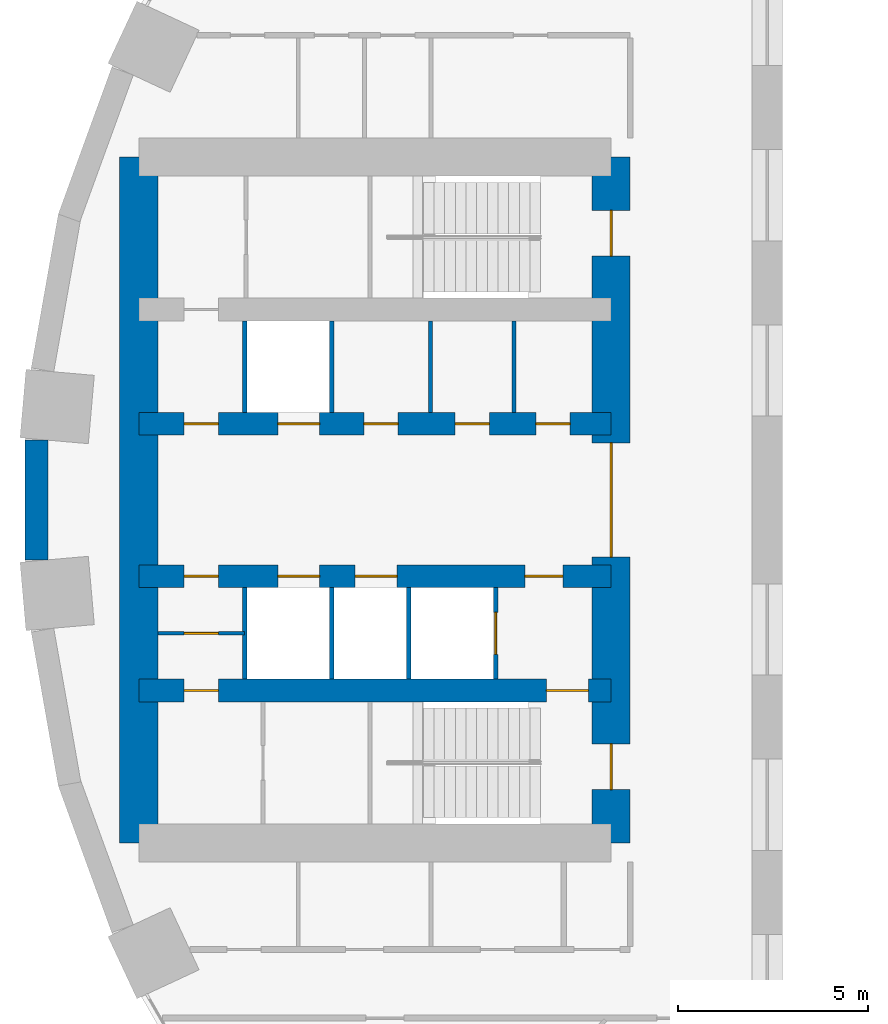
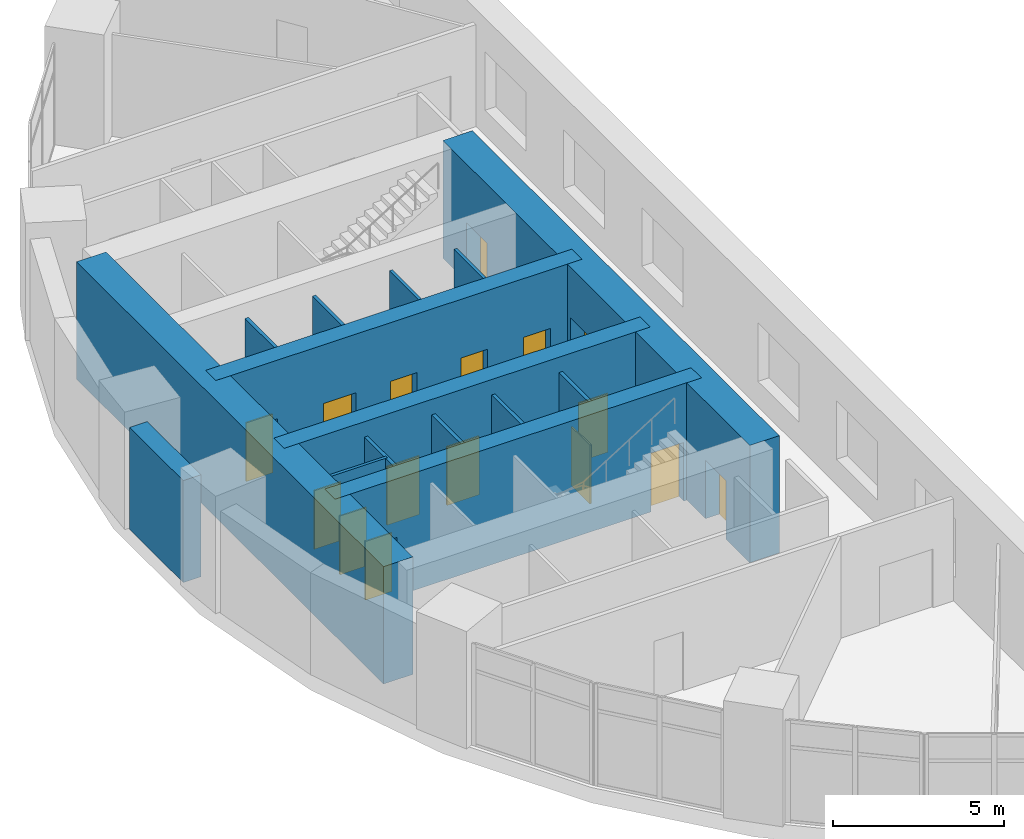
# One storey, part 8 of 13: 16 doors, 15 walls, 16 openings.
"""IFC4 building model written with IfcOpenShell, lengths in metres."""

from ifc_helpers import new_model, si_unit, direction, frame, frame_2d, origin, place, context, subcontext, project, spatial, rectangle, extrude, material, layer, layer_set, type_object, element, fill, save


model = new_model("IFC4")

# Units and contexts
model_context = context("Model", 3, precision=1e-05, world=origin(), true_north=direction((0.0, 1.0)))
body_context = subcontext(model_context, "Body", "Model", "MODEL_VIEW")
ifc_project = project(units=[si_unit("LENGTHUNIT", "METRE"), si_unit("AREAUNIT", "SQUARE_METRE"), si_unit("VOLUMEUNIT", "CUBIC_METRE"), si_unit("PLANEANGLEUNIT", "RADIAN"), si_unit("MASSUNIT", "GRAM", prefix="KILO")], contexts=[model_context])

# Site, building, storey
site_placement = place(None, origin())
site = spatial("IfcSite", under=ifc_project, at=site_placement, CompositionType="ELEMENT")
building_placement = place(site_placement, origin())
building = spatial("IfcBuilding", under=site, at=building_placement, Name="Saqina Gate Tower", CompositionType="ELEMENT")
storey_placement = place(building_placement, frame((0.0, 0.0, 13.39990234375)))
storey = spatial("IfcBuildingStorey", under=building, at=storey_placement, Name="L03", CompositionType="ELEMENT", Elevation=13.39990234375)

# Walls
ifc_material_1 = material(Name="Gypsum board on steel studs", Category="steel")
ifc_layer_1 = layer(ifc_material_1, 0.10009765625)
ifc_layer_set_1 = layer_set([ifc_layer_1], Name="CORE PARTITION")
wall_type_1 = type_object("IfcWallType", Name="CORE PARTITION", PredefinedType="PARTITIONING", material=ifc_layer_set_1)
for number, where, z_axis, x_axis, name in (
    (1, (-16.052001953125, 2.300048828125, 0.0), (0.0, 0.0, 1.0), (0.0, 1.0, 0.0), "L03-CP-W01"),
    (2, (-18.24072265625, 2.300048828125, 0.0), (0.0, 0.0, 1.0), (0.0, 1.0, 0.0), "L03-CP-W02"),
):
    element("IfcWall", number, at=place(storey_placement, frame(where, z_axis=z_axis, x_axis=x_axis)), inside=storey, type_object=wall_type_1, Name=name, PredefinedType="PARTITIONING", context=body_context, shape_type="SweptSolid", body=[
        extrude(rectangle(XDim=2.39990234375, YDim=0.10009765625, at=frame_2d((1.199951171875, 0.0))), origin(), (0.0, 0.0, 1.0), 3.650146484375),
    ])

# Wall, opening, door
wall_1_placement = place(storey_placement, frame((-23.1201171875, -3.5, 0.0), z_axis=(0.0, 0.0, 1.0), x_axis=(-1.0, 0.0, 0.0)))
wall_1 = element("IfcWall", 3, at=wall_1_placement, inside=storey, type_object=wall_type_1, Name="L03-CP-W09", PredefinedType="PARTITIONING", context=body_context, shape_type="SweptSolid", body=[
    extrude(rectangle(XDim=2.27978515625, YDim=0.10009765625, at=frame_2d((1.139892578125, 0.0))), origin(), (0.0, 0.0, 1.0), 3.650146484375),
])
opening_1_placement = place(wall_1_placement, frame((0.68994140625, 0.0, 0.0)))
opening_1 = element("IfcOpeningElement", 4, at=opening_1_placement, cuts=wall_1, Name="Opening L03-D113", PredefinedType="OPENING", context=body_context, shape_type="SweptSolid", body=[
    extrude(rectangle(XDim=0.89990234375, YDim=2.10009765625, at=frame_2d((0.449951171875, 1.050048828125))), frame((0.0, 0.06201171875, 0.0), z_axis=(0.0, -1.0, 0.0), x_axis=(1.0, 0.0, 0.0)), (0.0, 0.0, 1.0), 0.1240234375),
])
ifc_material_2 = material(Name="Steel-framed fire door leaf, EI 60", Category="steel")
door_type_1 = type_object("IfcDoorType", Name="SERVICE ROOM DOOR 900", OperationType="SINGLE_SWING_LEFT", PredefinedType="DOOR", material=ifc_material_2)
door_1_placement = place(opening_1_placement, origin())
door_1 = element("IfcDoor", 5, at=door_1_placement, inside=storey, type_object=door_type_1, Name="L03-CD-W24", OperationType="SINGLE_SWING_RIGHT", OverallHeight=2.10009765625, OverallWidth=0.89990234375, PredefinedType="DOOR", context=body_context, shape_type="SweptSolid", body=[
    extrude(rectangle(XDim=0.89990234375, YDim=2.10009765625, at=frame_2d((0.449951171875, 1.050048828125))), frame((0.0, 0.02490234375, 0.0), z_axis=(0.0, -1.0, 0.0), x_axis=(1.0, 0.0, 0.0)), (0.0, 0.0, 1.0), 0.050048828125),
])
fill(opening_1, door_1)

# Walls
ifc_material_3 = material(Name="Glazed ceramic tile", Category="ceramic")
ifc_layer_2 = layer(ifc_material_3, 0.60009765625)
ifc_layer_set_2 = layer_set([ifc_layer_2], Name="FW-TILE")
wall_type_2 = type_object("IfcWallType", Name="FW-TILE", PredefinedType="SOLIDWALL", material=ifc_layer_set_2)
wall_2_placement = place(storey_placement, frame((-28.589599609375, 1.571533203125, 0.0), z_axis=(0.0, 0.0, 1.0), x_axis=(0.0, -1.0, 0.0)))
element("IfcWall", 6, at=wall_2_placement, inside=storey, type_object=wall_type_2, Name="Facade wall L03 facet 18", PredefinedType="SOLIDWALL", context=body_context, shape_type="SweptSolid", body=[
    extrude(rectangle(XDim=3.14306640625, YDim=0.60009765625, at=frame_2d((1.571533203125, 0.0))), origin(), (0.0, 0.0, 1.0), 3.650146484375),
])
ifc_material_4 = material(Name="Autoclaved aerated concrete block", Category="concrete")
ifc_layer_3 = layer(ifc_material_4, 0.1201171875)
ifc_layer_set_3 = layer_set([ifc_layer_3], Name="SHAFT PARTITION")
wall_type_3 = type_object("IfcWallType", Name="SHAFT PARTITION", PredefinedType="PARTITIONING", material=ifc_layer_set_3)
for number, where, z_axis, x_axis, name in (
    (7, (-20.840087890625, 2.300048828125, 0.0), (0.0, 0.0, 1.0), (0.0, 1.0, 0.0), "L03-CP-W03"),
    (8, (-23.1201171875, 2.300048828125, 0.0), (0.0, 0.0, 1.0), (0.0, 1.0, 0.0), "L03-CP-W04"),
):
    element("IfcWall", number, at=place(storey_placement, frame(where, z_axis=z_axis, x_axis=x_axis)), inside=storey, type_object=wall_type_3, Name=name, PredefinedType="PARTITIONING", context=body_context, shape_type="SweptSolid", body=[
        extrude(rectangle(XDim=2.39990234375, YDim=0.1201171875, at=frame_2d((1.199951171875, 0.0))), origin(), (0.0, 0.0, 1.0), 3.650146484375),
    ])

# Wall, opening, door
wall_3_placement = place(storey_placement, frame((-16.530029296875, -4.699951171875, 0.0), z_axis=(0.0, 0.0, 1.0), x_axis=(0.0, 1.0, 0.0)))
wall_3 = element("IfcWall", 9, at=wall_3_placement, inside=storey, type_object=wall_type_3, Name="L03-CP-W05", PredefinedType="PARTITIONING", context=body_context, shape_type="SweptSolid", body=[
    extrude(rectangle(XDim=2.39990234375, YDim=0.1201171875, at=frame_2d((1.199951171875, 0.0))), origin(), (0.0, 0.0, 1.0), 3.650146484375),
])
opening_2_placement = place(wall_3_placement, frame((0.64990234375, 0.0, 0.0)))
opening_2 = element("IfcOpeningElement", 10, at=opening_2_placement, cuts=wall_3, Name="Opening L03-LD6", PredefinedType="OPENING", context=body_context, shape_type="SweptSolid", body=[
    extrude(rectangle(XDim=1.10009765625, YDim=2.10009765625, at=frame_2d((0.550048828125, 1.050048828125))), frame((0.0, 0.072021484375, 0.0), z_axis=(0.0, -1.0, 0.0), x_axis=(1.0, 0.0, 0.0)), (0.0, 0.0, 1.0), 0.14404296875),
])
ifc_material_5 = material(Name="Stainless steel", Category="steel")
door_type_2 = type_object("IfcDoorType", Name="LANDING DOOR", OperationType="DOUBLE_DOOR_SLIDING", PredefinedType="DOOR", material=ifc_material_5)
door_2_placement = place(opening_2_placement, origin())
door_2 = element("IfcDoor", 11, at=door_2_placement, inside=storey, type_object=door_type_2, Name="LANDING DOOR FF2", OperationType="DOUBLE_DOOR_SLIDING", OverallHeight=2.10009765625, OverallWidth=1.10009765625, PredefinedType="DOOR", context=body_context, shape_type="SweptSolid", body=[
    extrude(rectangle(XDim=1.10009765625, YDim=2.10009765625, at=frame_2d((0.550048828125, 1.050048828125))), frame((0.0, 0.02490234375, 0.0), z_axis=(0.0, -1.0, 0.0), x_axis=(1.0, 0.0, 0.0)), (0.0, 0.0, 1.0), 0.050048828125),
])
fill(opening_2, door_2)

# Walls
for number, where, z_axis, x_axis, name in (
    (12, (-18.81005859375, -4.699951171875, 0.0), (0.0, 0.0, 1.0), (0.0, 1.0, 0.0), "L03-CP-W06"),
    (13, (-20.840087890625, -4.699951171875, 0.0), (0.0, 0.0, 1.0), (0.0, 1.0, 0.0), "L03-CP-W07"),
    (14, (-23.1201171875, -4.699951171875, 0.0), (0.0, 0.0, 1.0), (0.0, 1.0, 0.0), "L03-CP-W08"),
):
    element("IfcWall", number, at=place(storey_placement, frame(where, z_axis=z_axis, x_axis=x_axis)), inside=storey, type_object=wall_type_3, Name=name, PredefinedType="PARTITIONING", context=body_context, shape_type="SweptSolid", body=[
        extrude(rectangle(XDim=2.39990234375, YDim=0.1201171875, at=frame_2d((1.199951171875, 0.0))), origin(), (0.0, 0.0, 1.0), 3.650146484375),
    ])

# Wall, openings, doors
ifc_material_6 = material(Name="Concrete C70/85", Category="concrete")
ifc_layer_4 = layer(ifc_material_6, 0.60009765625)
ifc_layer_set_4 = layer_set([ifc_layer_4], Name="Concrete C70/85")
wall_type_4 = type_object("IfcWallType", Name="STR-CORE WALL-P-I", PredefinedType="SHEAR", material=ifc_layer_set_4)
wall_4_placement = place(storey_placement, frame((-13.5, -5.0, 0.0), z_axis=(0.0, 0.0, 1.0), x_axis=(-1.0, 0.0, 0.0)))
wall_4 = element("IfcWall", 15, at=wall_4_placement, inside=storey, type_object=wall_type_4, Name="CORE WALL L03 W-X2", PredefinedType="SHEAR", context=body_context, shape_type="SweptSolid", body=[
    extrude(rectangle(XDim=12.39990234375, YDim=0.60009765625, at=frame_2d((6.199951171875, 0.0))), origin(), (0.0, 0.0, 1.0), 4.2001953125),
])
opening_3_placement = place(wall_4_placement, frame((10.31005859375, 0.0, 0.0)))
opening_3 = element("IfcOpeningElement", 16, at=opening_3_placement, cuts=wall_4, Name="Opening L03-D115", PredefinedType="OPENING", context=body_context, shape_type="SweptSolid", body=[
    extrude(rectangle(XDim=0.89990234375, YDim=2.10009765625, at=frame_2d((0.449951171875, 1.050048828125))), frame((0.0, 0.31201171875, 0.0), z_axis=(0.0, -1.0, 0.0), x_axis=(1.0, 0.0, 0.0)), (0.0, 0.0, 1.0), 0.6240234375),
])
opening_4_placement = place(wall_4_placement, frame((0.60009765625, 0.0, 0.0)))
opening_4 = element("IfcOpeningElement", 17, at=opening_4_placement, cuts=wall_4, Name="Opening L03-D116", PredefinedType="OPENING", context=body_context, shape_type="SweptSolid", body=[
    extrude(rectangle(XDim=1.10009765625, YDim=2.10009765625, at=frame_2d((0.550048828125, 1.050048828125))), frame((0.0, 0.31201171875, 0.0), z_axis=(0.0, -1.0, 0.0), x_axis=(1.0, 0.0, 0.0)), (0.0, 0.0, 1.0), 0.6240234375),
])
ifc_material_7 = material(Name="Steel", Category="steel")
door_type_3 = type_object("IfcDoorType", Name="FIRE LOBBY DOOR EI 60 WIDE", OperationType="SINGLE_SWING_LEFT", PredefinedType="DOOR", material=ifc_material_7)
door_3_placement = place(opening_4_placement, origin())
door_3 = element("IfcDoor", 18, at=door_3_placement, inside=storey, type_object=door_type_3, Name="L03-CD-W27", OperationType="SINGLE_SWING_LEFT", OverallHeight=2.10009765625, OverallWidth=1.10009765625, PredefinedType="DOOR", context=body_context, shape_type="SweptSolid", body=[
    extrude(rectangle(XDim=1.10009765625, YDim=2.10009765625, at=frame_2d((0.550048828125, 1.050048828125))), frame((0.0, 0.02490234375, 0.0), z_axis=(0.0, -1.0, 0.0), x_axis=(1.0, 0.0, 0.0)), (0.0, 0.0, 1.0), 0.050048828125),
])
fill(opening_4, door_3)
door_4_placement = place(opening_3_placement, origin())
door_4 = element("IfcDoor", 19, at=door_4_placement, inside=storey, type_object=door_type_1, Name="L03-CD-W26", OperationType="SINGLE_SWING_RIGHT", OverallHeight=2.10009765625, OverallWidth=0.89990234375, PredefinedType="DOOR", context=body_context, shape_type="SweptSolid", body=[
    extrude(rectangle(XDim=0.89990234375, YDim=2.10009765625, at=frame_2d((0.449951171875, 1.050048828125))), frame((0.0, 0.02490234375, 0.0), z_axis=(0.0, -1.0, 0.0), x_axis=(1.0, 0.0, 0.0)), (0.0, 0.0, 1.0), 0.050048828125),
])
fill(opening_3, door_4)

wall_5_placement = place(storey_placement, frame((-13.5, 2.0, 0.0), z_axis=(0.0, 0.0, 1.0), x_axis=(-1.0, 0.0, 0.0)))
wall_5 = element("IfcWall", 20, at=wall_5_placement, inside=storey, type_object=wall_type_4, Name="CORE WALL L03 W-L1", PredefinedType="SHEAR", context=body_context, shape_type="SweptSolid", body=[
    extrude(rectangle(XDim=12.39990234375, YDim=0.60009765625, at=frame_2d((6.199951171875, 0.0))), origin(), (0.0, 0.0, 1.0), 4.2001953125),
])
opening_5_placement = place(wall_5_placement, frame((7.64990234375, 0.0, 0.0)))
opening_5 = element("IfcOpeningElement", 21, at=opening_5_placement, cuts=wall_5, Name="Opening L03-LD5", PredefinedType="OPENING", context=body_context, shape_type="SweptSolid", body=[
    extrude(rectangle(XDim=1.10009765625, YDim=2.10009765625, at=frame_2d((0.550048828125, 1.050048828125))), frame((0.0, 0.31201171875, 0.0), z_axis=(0.0, -1.0, 0.0), x_axis=(1.0, 0.0, 0.0)), (0.0, 0.0, 1.0), 0.6240234375),
])
opening_6_placement = place(wall_5_placement, frame((1.075927734375, 0.0, 0.0)))
opening_6 = element("IfcOpeningElement", 22, at=opening_6_placement, cuts=wall_5, Name="Opening L03-D105", PredefinedType="OPENING", context=body_context, shape_type="SweptSolid", body=[
    extrude(rectangle(XDim=0.89990234375, YDim=2.10009765625, at=frame_2d((0.449951171875, 1.050048828125))), frame((0.0, 0.31201171875, 0.0), z_axis=(0.0, -1.0, 0.0), x_axis=(1.0, 0.0, 0.0)), (0.0, 0.0, 1.0), 0.6240234375),
])
opening_7_placement = place(wall_5_placement, frame((3.1962890625, 0.0, 0.0)))
opening_7 = element("IfcOpeningElement", 23, at=opening_7_placement, cuts=wall_5, Name="Opening L03-D106", PredefinedType="OPENING", context=body_context, shape_type="SweptSolid", body=[
    extrude(rectangle(XDim=0.89990234375, YDim=2.10009765625, at=frame_2d((0.449951171875, 1.050048828125))), frame((0.0, 0.31201171875, 0.0), z_axis=(0.0, -1.0, 0.0), x_axis=(1.0, 0.0, 0.0)), (0.0, 0.0, 1.0), 0.6240234375),
])
opening_8_placement = place(wall_5_placement, frame((5.59033203125, 0.0, 0.0)))
opening_8 = element("IfcOpeningElement", 24, at=opening_8_placement, cuts=wall_5, Name="Opening L03-D107", PredefinedType="OPENING", context=body_context, shape_type="SweptSolid", body=[
    extrude(rectangle(XDim=0.89990234375, YDim=2.10009765625, at=frame_2d((0.449951171875, 1.050048828125))), frame((0.0, 0.31201171875, 0.0), z_axis=(0.0, -1.0, 0.0), x_axis=(1.0, 0.0, 0.0)), (0.0, 0.0, 1.0), 0.6240234375),
])
opening_9_placement = place(wall_5_placement, frame((10.31005859375, 0.0, 0.0)))
opening_9 = element("IfcOpeningElement", 25, at=opening_9_placement, cuts=wall_5, Name="Opening L03-D108", PredefinedType="OPENING", context=body_context, shape_type="SweptSolid", body=[
    extrude(rectangle(XDim=0.89990234375, YDim=2.10009765625, at=frame_2d((0.449951171875, 1.050048828125))), frame((0.0, 0.31201171875, 0.0), z_axis=(0.0, -1.0, 0.0), x_axis=(1.0, 0.0, 0.0)), (0.0, 0.0, 1.0), 0.6240234375),
])
door_5_placement = place(opening_5_placement, origin())
door_5 = element("IfcDoor", 26, at=door_5_placement, inside=storey, type_object=door_type_2, Name="LANDING DOOR LR4", OperationType="DOUBLE_DOOR_SLIDING", OverallHeight=2.10009765625, OverallWidth=1.10009765625, PredefinedType="DOOR", context=body_context, shape_type="SweptSolid", body=[
    extrude(rectangle(XDim=1.10009765625, YDim=2.10009765625, at=frame_2d((0.550048828125, 1.050048828125))), frame((0.0, 0.02490234375, 0.0), z_axis=(0.0, -1.0, 0.0), x_axis=(1.0, 0.0, 0.0)), (0.0, 0.0, 1.0), 0.050048828125),
])
fill(opening_5, door_5)
door_6_placement = place(opening_6_placement, frame((0.89990234375, 0.0, 0.0), z_axis=(0.0, 0.0, 1.0), x_axis=(-1.0, 0.0, 0.0)))
door_6 = element("IfcDoor", 27, at=door_6_placement, inside=storey, type_object=door_type_1, Name="L03-CD-W16", OperationType="SINGLE_SWING_LEFT", OverallHeight=2.10009765625, OverallWidth=0.89990234375, PredefinedType="DOOR", context=body_context, shape_type="SweptSolid", body=[
    extrude(rectangle(XDim=0.89990234375, YDim=2.10009765625, at=frame_2d((0.449951171875, 1.050048828125))), frame((0.0, 0.02490234375, 0.0), z_axis=(0.0, -1.0, 0.0), x_axis=(1.0, 0.0, 0.0)), (0.0, 0.0, 1.0), 0.050048828125),
])
fill(opening_6, door_6)
door_7_placement = place(opening_7_placement, frame((0.89990234375, 0.0, 0.0), z_axis=(0.0, 0.0, 1.0), x_axis=(-1.0, 0.0, 0.0)))
door_7 = element("IfcDoor", 28, at=door_7_placement, inside=storey, type_object=door_type_1, Name="L03-CD-W17", OperationType="SINGLE_SWING_RIGHT", OverallHeight=2.10009765625, OverallWidth=0.89990234375, PredefinedType="DOOR", context=body_context, shape_type="SweptSolid", body=[
    extrude(rectangle(XDim=0.89990234375, YDim=2.10009765625, at=frame_2d((0.449951171875, 1.050048828125))), frame((0.0, 0.02490234375, 0.0), z_axis=(0.0, -1.0, 0.0), x_axis=(1.0, 0.0, 0.0)), (0.0, 0.0, 1.0), 0.050048828125),
])
fill(opening_7, door_7)
door_8_placement = place(opening_8_placement, frame((0.89990234375, 0.0, 0.0), z_axis=(0.0, 0.0, 1.0), x_axis=(-1.0, 0.0, 0.0)))
door_8 = element("IfcDoor", 29, at=door_8_placement, inside=storey, type_object=door_type_1, Name="L03-CD-W18", OperationType="SINGLE_SWING_RIGHT", OverallHeight=2.10009765625, OverallWidth=0.89990234375, PredefinedType="DOOR", context=body_context, shape_type="SweptSolid", body=[
    extrude(rectangle(XDim=0.89990234375, YDim=2.10009765625, at=frame_2d((0.449951171875, 1.050048828125))), frame((0.0, 0.02490234375, 0.0), z_axis=(0.0, -1.0, 0.0), x_axis=(1.0, 0.0, 0.0)), (0.0, 0.0, 1.0), 0.050048828125),
])
fill(opening_8, door_8)
door_9_placement = place(opening_9_placement, frame((0.89990234375, 0.0, 0.0), z_axis=(0.0, 0.0, 1.0), x_axis=(-1.0, 0.0, 0.0)))
door_9 = element("IfcDoor", 30, at=door_9_placement, inside=storey, type_object=door_type_1, Name="L03-CD-W19", OperationType="SINGLE_SWING_LEFT", OverallHeight=2.10009765625, OverallWidth=0.89990234375, PredefinedType="DOOR", context=body_context, shape_type="SweptSolid", body=[
    extrude(rectangle(XDim=0.89990234375, YDim=2.10009765625, at=frame_2d((0.449951171875, 1.050048828125))), frame((0.0, 0.02490234375, 0.0), z_axis=(0.0, -1.0, 0.0), x_axis=(1.0, 0.0, 0.0)), (0.0, 0.0, 1.0), 0.050048828125),
])
fill(opening_9, door_9)

wall_6_placement = place(storey_placement, frame((-13.5, -2.0, 0.0), z_axis=(0.0, 0.0, 1.0), x_axis=(-1.0, 0.0, 0.0)))
wall_6 = element("IfcWall", 31, at=wall_6_placement, inside=storey, type_object=wall_type_4, Name="CORE WALL L03 W-L2", PredefinedType="SHEAR", context=body_context, shape_type="SweptSolid", body=[
    extrude(rectangle(XDim=12.39990234375, YDim=0.60009765625, at=frame_2d((6.199951171875, 0.0))), origin(), (0.0, 0.0, 1.0), 4.2001953125),
])
opening_10_placement = place(wall_6_placement, frame((5.6201171875, 0.0, 0.0)))
opening_10 = element("IfcOpeningElement", 32, at=opening_10_placement, cuts=wall_6, Name="Opening L03-LD7", PredefinedType="OPENING", context=body_context, shape_type="SweptSolid", body=[
    extrude(rectangle(XDim=1.10009765625, YDim=2.10009765625, at=frame_2d((0.550048828125, 1.050048828125))), frame((0.0, 0.31201171875, 0.0), z_axis=(0.0, -1.0, 0.0), x_axis=(1.0, 0.0, 0.0)), (0.0, 0.0, 1.0), 0.6240234375),
])
opening_11_placement = place(wall_6_placement, frame((7.64990234375, 0.0, 0.0)))
opening_11 = element("IfcOpeningElement", 33, at=opening_11_placement, cuts=wall_6, Name="Opening L03-LD8", PredefinedType="OPENING", context=body_context, shape_type="SweptSolid", body=[
    extrude(rectangle(XDim=1.10009765625, YDim=2.10009765625, at=frame_2d((0.550048828125, 1.050048828125))), frame((0.0, 0.31201171875, 0.0), z_axis=(0.0, -1.0, 0.0), x_axis=(1.0, 0.0, 0.0)), (0.0, 0.0, 1.0), 0.6240234375),
])
opening_12_placement = place(wall_6_placement, frame((1.264892578125, 0.0, 0.0)))
opening_12 = element("IfcOpeningElement", 34, at=opening_12_placement, cuts=wall_6, Name="Opening L03-D109", PredefinedType="OPENING", context=body_context, shape_type="SweptSolid", body=[
    extrude(rectangle(XDim=1.0, YDim=2.10009765625, at=frame_2d((0.5, 1.050048828125))), frame((0.0, 0.31201171875, 0.0), z_axis=(0.0, -1.0, 0.0), x_axis=(1.0, 0.0, 0.0)), (0.0, 0.0, 1.0), 0.6240234375),
])
opening_13_placement = place(wall_6_placement, frame((10.31005859375, 0.0, 0.0)))
opening_13 = element("IfcOpeningElement", 35, at=opening_13_placement, cuts=wall_6, Name="Opening L03-D110", PredefinedType="OPENING", context=body_context, shape_type="SweptSolid", body=[
    extrude(rectangle(XDim=0.89990234375, YDim=2.10009765625, at=frame_2d((0.449951171875, 1.050048828125))), frame((0.0, 0.31201171875, 0.0), z_axis=(0.0, -1.0, 0.0), x_axis=(1.0, 0.0, 0.0)), (0.0, 0.0, 1.0), 0.6240234375),
])
ifc_material_8 = material(Name="Steel", Category="steel")
door_type_4 = type_object("IfcDoorType", Name="FIRE LOBBY DOOR EI 60", OperationType="SINGLE_SWING_LEFT", PredefinedType="DOOR", material=ifc_material_8)
door_10_placement = place(opening_12_placement, frame((1.0, 0.0, 0.0), z_axis=(0.0, 0.0, 1.0), x_axis=(-1.0, 0.0, 0.0)))
door_10 = element("IfcDoor", 36, at=door_10_placement, inside=storey, type_object=door_type_4, Name="L03-CD-W20", OperationType="SINGLE_SWING_RIGHT", OverallHeight=2.10009765625, OverallWidth=1.0, PredefinedType="DOOR", context=body_context, shape_type="SweptSolid", body=[
    extrude(rectangle(XDim=1.0, YDim=2.10009765625, at=frame_2d((0.5, 1.050048828125))), frame((0.0, 0.02490234375, 0.0), z_axis=(0.0, -1.0, 0.0), x_axis=(1.0, 0.0, 0.0)), (0.0, 0.0, 1.0), 0.050048828125),
])
fill(opening_12, door_10)
door_11_placement = place(opening_10_placement, origin())
door_11 = element("IfcDoor", 37, at=door_11_placement, inside=storey, type_object=door_type_2, Name="LANDING DOOR LR6", OperationType="DOUBLE_DOOR_SLIDING", OverallHeight=2.10009765625, OverallWidth=1.10009765625, PredefinedType="DOOR", context=body_context, shape_type="SweptSolid", body=[
    extrude(rectangle(XDim=1.10009765625, YDim=2.10009765625, at=frame_2d((0.550048828125, 1.050048828125))), frame((0.0, 0.02490234375, 0.0), z_axis=(0.0, -1.0, 0.0), x_axis=(1.0, 0.0, 0.0)), (0.0, 0.0, 1.0), 0.050048828125),
])
fill(opening_10, door_11)
door_12_placement = place(opening_11_placement, origin())
door_12 = element("IfcDoor", 38, at=door_12_placement, inside=storey, type_object=door_type_2, Name="LANDING DOOR LR5", OperationType="DOUBLE_DOOR_SLIDING", OverallHeight=2.10009765625, OverallWidth=1.10009765625, PredefinedType="DOOR", context=body_context, shape_type="SweptSolid", body=[
    extrude(rectangle(XDim=1.10009765625, YDim=2.10009765625, at=frame_2d((0.550048828125, 1.050048828125))), frame((0.0, 0.02490234375, 0.0), z_axis=(0.0, -1.0, 0.0), x_axis=(1.0, 0.0, 0.0)), (0.0, 0.0, 1.0), 0.050048828125),
])
fill(opening_11, door_12)
door_13_placement = place(opening_13_placement, origin())
door_13 = element("IfcDoor", 39, at=door_13_placement, inside=storey, type_object=door_type_1, Name="L03-CD-W21", OperationType="SINGLE_SWING_RIGHT", OverallHeight=2.10009765625, OverallWidth=0.89990234375, PredefinedType="DOOR", context=body_context, shape_type="SweptSolid", body=[
    extrude(rectangle(XDim=0.89990234375, YDim=2.10009765625, at=frame_2d((0.449951171875, 1.050048828125))), frame((0.0, 0.02490234375, 0.0), z_axis=(0.0, -1.0, 0.0), x_axis=(1.0, 0.0, 0.0)), (0.0, 0.0, 1.0), 0.050048828125),
])
fill(opening_13, door_13)

ifc_material_9 = material(Name="Concrete C70/85", Category="concrete")
ifc_layer_5 = layer(ifc_material_9, 1.0)
ifc_layer_set_5 = layer_set([ifc_layer_5], Name="Concrete C70/85")
wall_type_5 = type_object("IfcWallType", Name="STR-CORE WALL-P-O", PredefinedType="SHEAR", material=ifc_layer_set_5)
wall_7_placement = place(storey_placement, frame((-13.5, -9.0, 0.0), z_axis=(0.0, 0.0, 1.0), x_axis=(0.0, 1.0, 0.0)))
wall_7 = element("IfcWall", 40, at=wall_7_placement, inside=storey, type_object=wall_type_5, Name="CORE WALL L03 W-W1", PredefinedType="SHEAR", context=body_context, shape_type="SweptSolid", body=[
    extrude(rectangle(XDim=18.0, YDim=1.0, at=frame_2d((9.0, 0.0))), origin(), (0.0, 0.0, 1.0), 4.2001953125),
])
opening_14_placement = place(wall_7_placement, frame((15.39990234375, 0.0, 0.0)))
opening_14 = element("IfcOpeningElement", 41, at=opening_14_placement, cuts=wall_7, Name="Opening L03-D117", PredefinedType="OPENING", context=body_context, shape_type="SweptSolid", body=[
    extrude(rectangle(XDim=1.199951171875, YDim=2.10009765625, at=frame_2d((0.60009765625, 1.050048828125))), frame((0.0, 0.511962890625, 0.0), z_axis=(0.0, -1.0, 0.0), x_axis=(1.0, 0.0, 0.0)), (0.0, 0.0, 1.0), 1.02392578125),
])
opening_15_placement = place(wall_7_placement, frame((1.39990234375, 0.0, 0.0)))
opening_15 = element("IfcOpeningElement", 42, at=opening_15_placement, cuts=wall_7, Name="Opening L03-D118", PredefinedType="OPENING", context=body_context, shape_type="SweptSolid", body=[
    extrude(rectangle(XDim=1.199951171875, YDim=2.10009765625, at=frame_2d((0.60009765625, 1.050048828125))), frame((0.0, 0.511962890625, 0.0), z_axis=(0.0, -1.0, 0.0), x_axis=(1.0, 0.0, 0.0)), (0.0, 0.0, 1.0), 1.02392578125),
])
opening_16_placement = place(wall_7_placement, frame((7.5, 0.0, 0.0)))
opening_16 = element("IfcOpeningElement", 43, at=opening_16_placement, cuts=wall_7, Name="Opening L03-D119", PredefinedType="OPENING", context=body_context, shape_type="SweptSolid", body=[
    extrude(rectangle(XDim=3.0, YDim=2.39990234375, at=frame_2d((1.5, 1.199951171875))), frame((0.0, 0.511962890625, 0.0), z_axis=(0.0, -1.0, 0.0), x_axis=(1.0, 0.0, 0.0)), (0.0, 0.0, 1.0), 1.02392578125),
])
ifc_material_10 = material(Name="Steel", Category="steel")
door_type_5 = type_object("IfcDoorType", Name="FIRE DOOR EI 60", OperationType="SINGLE_SWING_LEFT", PredefinedType="DOOR", material=ifc_material_10)
door_14_placement = place(opening_14_placement, origin())
door_14 = element("IfcDoor", 44, at=door_14_placement, inside=storey, type_object=door_type_5, Name="L03-CD-W28", OperationType="SINGLE_SWING_RIGHT", OverallHeight=2.10009765625, OverallWidth=1.199951171875, PredefinedType="DOOR", context=body_context, shape_type="SweptSolid", body=[
    extrude(rectangle(XDim=1.199951171875, YDim=2.10009765625, at=frame_2d((0.60009765625, 1.050048828125))), frame((0.0, 0.02490234375, 0.0), z_axis=(0.0, -1.0, 0.0), x_axis=(1.0, 0.0, 0.0)), (0.0, 0.0, 1.0), 0.050048828125),
])
fill(opening_14, door_14)
door_15_placement = place(opening_15_placement, origin())
door_15 = element("IfcDoor", 45, at=door_15_placement, inside=storey, type_object=door_type_5, Name="L03-CD-W29", OperationType="SINGLE_SWING_LEFT", OverallHeight=2.10009765625, OverallWidth=1.199951171875, PredefinedType="DOOR", context=body_context, shape_type="SweptSolid", body=[
    extrude(rectangle(XDim=1.199951171875, YDim=2.10009765625, at=frame_2d((0.60009765625, 1.050048828125))), frame((0.0, 0.02490234375, 0.0), z_axis=(0.0, -1.0, 0.0), x_axis=(1.0, 0.0, 0.0)), (0.0, 0.0, 1.0), 0.050048828125),
])
fill(opening_15, door_15)
ifc_material_11 = material(Name="Steel and fire-resisting glass", Category="steel")
door_type_6 = type_object("IfcDoorType", Name="LOBBY SCREEN DOOR", OperationType="DOUBLE_DOOR_SLIDING", PredefinedType="DOOR", material=ifc_material_11)
door_16_placement = place(opening_16_placement, origin())
door_16 = element("IfcDoor", 46, at=door_16_placement, inside=storey, type_object=door_type_6, Name="L03-CD-W30", OperationType="DOUBLE_DOOR_SLIDING", OverallHeight=2.39990234375, OverallWidth=3.0, PredefinedType="DOOR", context=body_context, shape_type="SweptSolid", body=[
    extrude(rectangle(XDim=3.0, YDim=2.39990234375, at=frame_2d((1.5, 1.199951171875))), frame((0.0, 0.02490234375, 0.0), z_axis=(0.0, -1.0, 0.0), x_axis=(1.0, 0.0, 0.0)), (0.0, 0.0, 1.0), 0.050048828125),
])
fill(opening_16, door_16)

# Wall
wall_8_placement = place(storey_placement, frame((-25.89990234375, -9.0, 0.0), z_axis=(0.0, 0.0, 1.0), x_axis=(0.0, 1.0, 0.0)))
element("IfcWall", 47, at=wall_8_placement, inside=storey, type_object=wall_type_5, Name="CORE WALL L03 W-W2", PredefinedType="SHEAR", context=body_context, shape_type="SweptSolid", body=[
    extrude(rectangle(XDim=18.0, YDim=1.0, at=frame_2d((9.0, 0.0))), origin(), (0.0, 0.0, 1.0), 4.2001953125),
])

save(model, "model.ifc")
